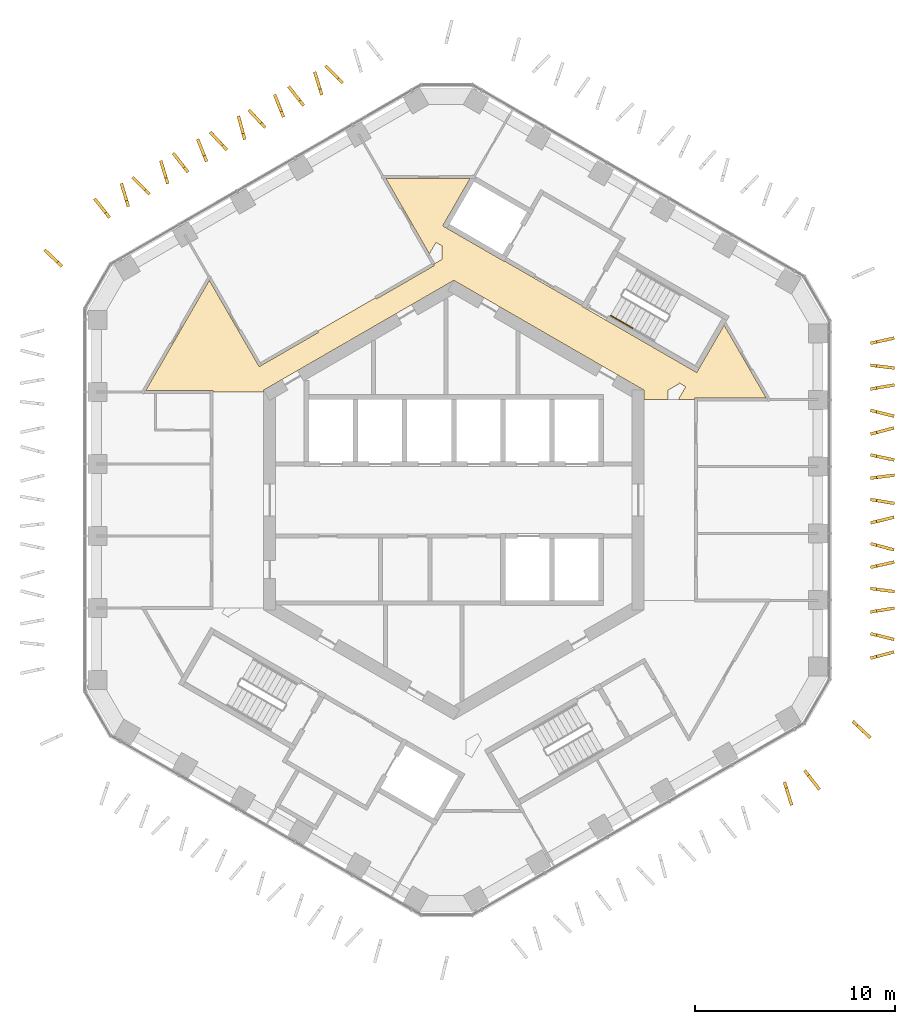
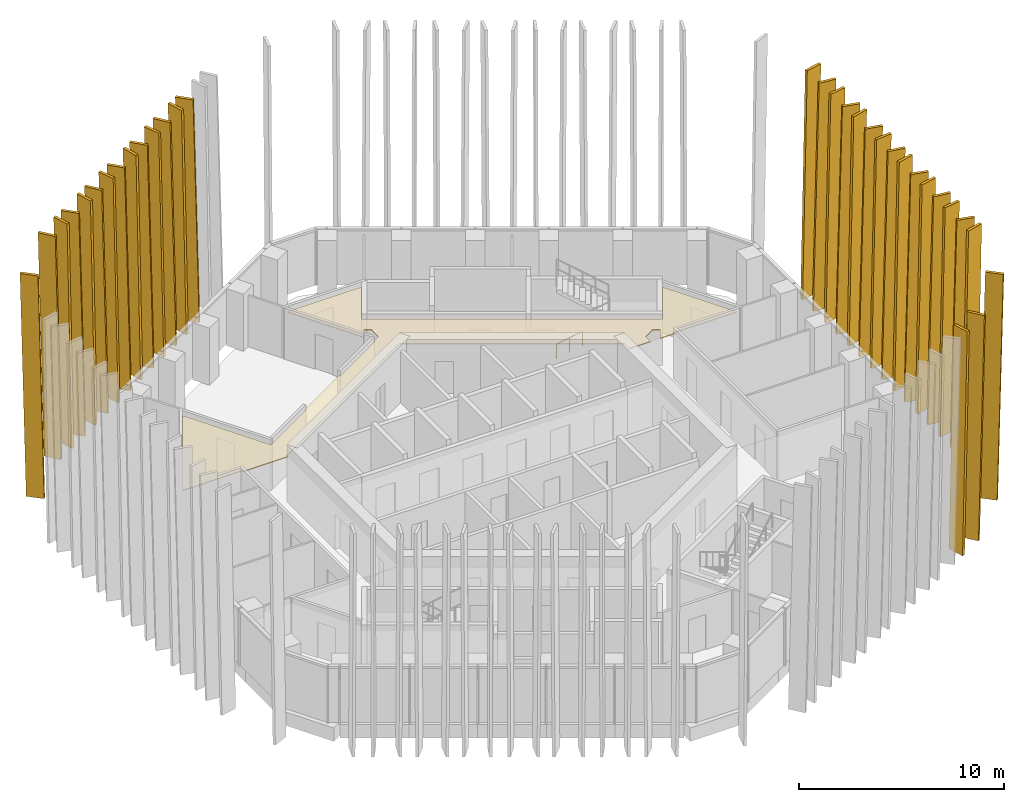
# One storey, part 20 of 21: 32 shading devices, 1 covering, 1 railing.
"""IFC4 building model written with IfcOpenShell, lengths in metres."""

from ifc_helpers import new_model, si_unit, direction, frame, origin, origin_2d, place, context, subcontext, project, spatial, polyline, circle, outline, extrude, material, layer, layer_set, type_object, element, save


model = new_model("IFC4")

# Units and contexts
model_context = context("Model", 3, precision=1e-05, world=origin(), true_north=direction((0.0, 1.0)))
body_context = subcontext(model_context, "Body", "Model", "MODEL_VIEW")
ifc_project = project(units=[si_unit("LENGTHUNIT", "METRE"), si_unit("AREAUNIT", "SQUARE_METRE"), si_unit("VOLUMEUNIT", "CUBIC_METRE"), si_unit("PLANEANGLEUNIT", "RADIAN"), si_unit("MASSUNIT", "GRAM", prefix="KILO")], contexts=[model_context])

# Site, building, storey
site_placement = place(None, origin())
site = spatial("IfcSite", under=ifc_project, at=site_placement, CompositionType="ELEMENT")
building_placement = place(site_placement, origin())
building = spatial("IfcBuilding", under=site, at=building_placement, Name="Ayvan Gate Tower", CompositionType="ELEMENT")
storey_placement = place(building_placement, frame((0.0, 0.0, 173.10009765625)))
storey = spatial("IfcBuildingStorey", under=building, at=storey_placement, Name="L46", CompositionType="ELEMENT", Elevation=173.10009765625)

# Shading devices
ifc_material_1 = material(Name="Bronze anodised aluminium", Category="aluminium")
ifc_layer_1 = layer(ifc_material_1, 0.14990234375)
ifc_layer_set_1 = layer_set([ifc_layer_1], Name="Bronze anodised aluminium")
shading_device_type = type_object("IfcShadingDeviceType", Name="Bronze fin 900 x 150", PredefinedType="USERDEFINED", material=ifc_layer_set_1)
shading_device_1_placement = place(storey_placement, frame((-5.4970703125, 20.8798828125, 0.0), z_axis=(0.707174588365, 0.707038958409, 0.000113414207), x_axis=(-0.707038962957, 0.707174592912, 1.0877e-08)))
element("IfcShadingDevice", 1, at=shading_device_1_placement, inside=storey, type_object=shading_device_type, Name="Bronze fin FG17.1.3", ObjectType="FIN", PredefinedType="USERDEFINED", context=body_context, shape_type="SweptSolid", body=[
    extrude(outline(polyline([(0.0, 0.0), (0.9001110205447482, 0.0), (1.2094702470155556, 13.199951243613675), (0.3095318434051229, 13.199951263192766), (0.0, 0.0)])), origin(), (0.0, 0.0, -1.0), 0.14990234375),
])
shading_device_2_placement = place(storey_placement, frame((-6.51953125, 20.24609375, 0.0), z_axis=(0.956042542036, 0.293227972178, 0.00011895649), x_axis=(-0.293227974252, 0.9560425488, -4.73e-09)))
element("IfcShadingDevice", 2, at=shading_device_2_placement, inside=storey, type_object=shading_device_type, Name="Bronze fin FG17.1.4", ObjectType="FIN", PredefinedType="USERDEFINED", context=body_context, shape_type="SweptSolid", body=[
    extrude(outline(polyline([(0.0, 0.0), (0.9001536681363617, 0.0), (1.209638873840267, 13.199951270990855), (0.3097186145292958, 13.199951262476), (0.0, 0.0)])), origin(), (0.0, 0.0, -1.0), 0.14990234375),
])
shading_device_3_placement = place(storey_placement, frame((-7.443115234375, 19.74169921875, 0.0), z_axis=(0.787676704671, 0.61608878812, 0.000118623006), x_axis=(-0.616088792454, 0.787676710213, -9.912e-09)))
element("IfcShadingDevice", 3, at=shading_device_3_placement, inside=storey, type_object=shading_device_type, Name="Bronze fin FG17.1.5", ObjectType="FIN", PredefinedType="USERDEFINED", context=body_context, shape_type="SweptSolid", body=[
    extrude(outline(polyline([(0.0, 0.0), (0.9000368198541718, 1.3552527156068805e-20), (1.20941082007584, 13.199951276733715), (0.3095663041059976, 13.199951258893263), (0.0, 0.0)])), origin(), (0.0, 0.0, -1.0), 0.14990234375),
])
shading_device_4_placement = place(storey_placement, frame((-8.431884765625, 19.146240234375, 0.0), z_axis=(0.929845278231, 0.367950735099, 0.000122844424), x_axis=(-0.367950737874, 0.929845285248, -1.5493e-08)))
element("IfcShadingDevice", 4, at=shading_device_4_placement, inside=storey, type_object=shading_device_type, Name="Bronze fin FG17.1.6", ObjectType="FIN", PredefinedType="USERDEFINED", context=body_context, shape_type="SweptSolid", body=[
    extrude(outline(polyline([(0.0, 0.0), (0.9000124117156664, 6.776263578034403e-21), (1.2094699109395768, 13.19995129021158), (0.30936766750079664, 13.199951262322907), (0.0, 0.0)])), origin(), (0.0, 0.0, -1.0), 0.14990234375),
])
shading_device_5_placement = place(storey_placement, frame((-9.35888671875, 18.646240234375, 0.0), z_axis=(0.729131035565, 0.684374108159, 0.000114267178), x_axis=(-0.684374112627, 0.729131040325, 0.0)))
element("IfcShadingDevice", 5, at=shading_device_5_placement, inside=storey, type_object=shading_device_type, Name="Bronze fin FG17.1.7", ObjectType="FIN", PredefinedType="USERDEFINED", context=body_context, shape_type="SweptSolid", body=[
    extrude(outline(polyline([(0.0, 0.0), (0.9000439752325704, -1.3552527156068805e-20), (1.2095104750641414, 13.199951258050804), (0.30946649983157115, 13.199951258050804), (0.0, 0.0)])), origin(), (0.0, 0.0, -1.0), 0.14990234375),
])
shading_device_6_placement = place(storey_placement, frame((-10.3681640625, 18.022705078125, 0.0), z_axis=(0.965937149046, 0.258776759391, 0.00011354488), x_axis=(-0.258776761059, 0.965937155273, 0.0)))
element("IfcShadingDevice", 6, at=shading_device_6_placement, inside=storey, type_object=shading_device_type, Name="Bronze fin FG17.1.8", ObjectType="FIN", PredefinedType="USERDEFINED", context=body_context, shape_type="SweptSolid", body=[
    extrude(outline(polyline([(0.0, 0.0), (0.9000427831971298, 6.776263578034403e-21), (1.2095575730144879, 13.199951256964788), (0.30951478981735786, 13.199951256964788), (0.0, 0.0)])), origin(), (0.0, 0.0, -1.0), 0.14990234375),
])
shading_device_7_placement = place(storey_placement, frame((-11.281005859375, 17.53662109375, 0.0), z_axis=(0.729266401401, 0.684229860243, 0.000118904888), x_axis=(-0.68422986508, 0.729266406557, 0.0)))
element("IfcShadingDevice", 7, at=shading_device_7_placement, inside=storey, type_object=shading_device_type, Name="Bronze fin FG17.1.9", ObjectType="FIN", PredefinedType="USERDEFINED", context=body_context, shape_type="SweptSolid", body=[
    extrude(outline(polyline([(0.0, 0.0), (0.8998769093156884, -6.776263578034403e-21), (1.2093431047215066, 13.199951265187917), (0.3094661954058183, 13.199951265187917), (0.0, 0.0)])), origin(), (0.0, 0.0, -1.0), 0.14990234375),
])
shading_device_8_placement = place(storey_placement, frame((-12.27587890625, 16.9267578125, 0.0), z_axis=(0.929845278987, 0.367950735398, 0.000116038966), x_axis=(-0.367950737874, 0.929845285248, -1.4634e-08)))
element("IfcShadingDevice", 8, at=shading_device_8_placement, inside=storey, type_object=shading_device_type, Name="Bronze fin FG17.1.10", ObjectType="FIN", PredefinedType="USERDEFINED", context=body_context, shape_type="SweptSolid", body=[
    extrude(outline(polyline([(0.0, 0.0), (0.9000124117156665, 0.0), (1.2096969352779419, 13.199951278447184), (0.3095946918391616, 13.199951252103515), (0.0, 0.0)])), origin(), (0.0, 0.0, -1.0), 0.14990234375),
])
shading_device_9_placement = place(storey_placement, frame((-13.208984375, 16.41259765625, 0.0), z_axis=(0.787596557022, 0.616191245714, 0.000109874865), x_axis=(-0.616191249434, 0.787596561776, 0.0)))
element("IfcShadingDevice", 9, at=shading_device_9_placement, inside=storey, type_object=shading_device_type, Name="Bronze fin FG17.1.11", ObjectType="FIN", PredefinedType="USERDEFINED", context=body_context, shape_type="SweptSolid", body=[
    extrude(outline(polyline([(0.0, 0.0), (0.9001872397731432, 0.0), (1.209753865999213, 13.199951251553113), (0.30956662622606973, 13.199951251553113), (0.0, 0.0)])), origin(), (0.0, 0.0, -1.0), 0.14990234375),
])
shading_device_10_placement = place(storey_placement, frame((-14.20751953125, 15.8076171875, 0.0), z_axis=(0.9560308779, 0.293265998584, 0.000120735635), x_axis=(-0.293266000721, 0.956030884868, 0.0)))
element("IfcShadingDevice", 10, at=shading_device_10_placement, inside=storey, type_object=shading_device_type, Name="Bronze fin FG17.1.12", ObjectType="FIN", PredefinedType="USERDEFINED", context=body_context, shape_type="SweptSolid", body=[
    extrude(outline(polyline([(0.0, 0.0), (0.8999202600228349, 6.776263578034403e-21), (1.2094055918008084, 13.199951268083462), (0.3094853317779735, 13.199951268083462), (0.0, 0.0)])), origin(), (0.0, 0.0, -1.0), 0.14990234375),
])
shading_device_11_placement = place(storey_placement, frame((-15.138916015625, 15.313232421875, 0.0), z_axis=(0.707242405859, 0.706971119934, 0.000122203353), x_axis=(-0.706971125213, 0.70724241114, 0.0)))
element("IfcShadingDevice", 11, at=shading_device_11_placement, inside=storey, type_object=shading_device_type, Name="Bronze fin FG17.1.13", ObjectType="FIN", PredefinedType="USERDEFINED", context=body_context, shape_type="SweptSolid", body=[
    extrude(outline(polyline([(0.0, 0.0), (0.8999384077507213, 6.776263578034403e-21), (1.209469954272635, 13.199951270436788), (0.30953154652191367, 13.199951270436788), (0.0, 0.0)])), origin(), (0.0, 0.0, -1.0), 0.14990234375),
])
shading_device_12_placement = place(storey_placement, frame((-16.177734375, 14.669677734375, 0.0), z_axis=(0.957527132135, 0.288343156221, 0.000124441671), x_axis=(-0.288343158453, 0.957527139549, 0.0)))
element("IfcShadingDevice", 12, at=shading_device_12_placement, inside=storey, type_object=shading_device_type, Name="Bronze fin FG17.1.14", ObjectType="FIN", PredefinedType="USERDEFINED", context=body_context, shape_type="SweptSolid", body=[
    extrude(outline(polyline([(0.0, 0.0), (0.9000438427842659, 6.776263578034403e-21), (1.2095620429986695, 13.199951274080439), (0.30951820021440357, 13.199951274080439), (0.0, 0.0)])), origin(), (0.0, 0.0, -1.0), 0.14990234375),
])
shading_device_13_placement = place(storey_placement, frame((-17.132080078125, 14.148193359375, 0.0), z_axis=(0.78455980458, 0.620053142012, 0.000118818656), x_axis=(-0.620053146388, 0.784559810119, -9.991e-09)))
element("IfcShadingDevice", 13, at=shading_device_13_placement, inside=storey, type_object=shading_device_type, Name="Bronze fin FG17.1.15", ObjectType="FIN", PredefinedType="USERDEFINED", context=body_context, shape_type="SweptSolid", body=[
    extrude(outline(polyline([(0.0, 0.0), (0.9001887263959805, 0.0), (1.2095577963791595, 13.199951277136783), (0.3095606129055714, 13.19995125915191), (0.0, 0.0)])), origin(), (0.0, 0.0, -1.0), 0.14990234375),
])
shading_device_14_placement = place(storey_placement, frame((-19.512939453125, 11.718994140625, 0.0), z_axis=(0.690088545544, 0.723724936915, 0.000122458133), x_axis=(-0.723724942342, 0.690088550718, 0.0)))
element("IfcShadingDevice", 14, at=shading_device_14_placement, inside=storey, type_object=shading_device_type, Name="Bronze fin FG17.2.16", ObjectType="FIN", PredefinedType="USERDEFINED", context=body_context, shape_type="SweptSolid", body=[
    extrude(outline(polyline([(0.0, 0.0), (0.9000203660144157, 6.776263578034403e-21), (1.209505579872809, 13.1999512708482), (0.30948521385839334, 13.1999512708482), (0.0, 0.0)])), origin(), (0.0, 0.0, -1.0), 0.14990234375),
])
shading_device_15_placement = place(storey_placement, frame((16.439697265625, -14.107666015625, 0.0), z_axis=(-0.955373410081, -0.295400807376, 0.000101548863), x_axis=(0.295400808899, -0.955373415007, 0.0)))
element("IfcShadingDevice", 15, at=shading_device_15_placement, inside=storey, type_object=shading_device_type, Name="Bronze fin FG17.7.62", ObjectType="FIN", PredefinedType="USERDEFINED", context=body_context, shape_type="SweptSolid", body=[
    extrude(outline(polyline([(0.0, 0.0), (0.9000284786486996, 0.0), (1.2096608369348048, 13.479980538253937), (0.30963235828610525, 13.479980538253937), (0.0, 0.0)])), origin(), (0.0, 0.0, -1.0), 0.14990234375),
])
shading_device_16_placement = place(storey_placement, frame((17.457763671875, -13.5478515625, 0.0), z_axis=(-0.791225338785, -0.611524691906, 0.00012022693), x_axis=(0.611524696327, -0.791225344502, 1.29e-08)))
element("IfcShadingDevice", 16, at=shading_device_16_placement, inside=storey, type_object=shading_device_type, Name="Bronze fin FG17.7.63", ObjectType="FIN", PredefinedType="USERDEFINED", context=body_context, shape_type="SweptSolid", body=[
    extrude(outline(polyline([(0.0, 0.0), (0.9001446582347323, -1.3552527156068805e-20), (1.2095743688229745, 13.479980550569422), (0.3095790086098064, 13.479980573791762), (0.0, 0.0)])), origin(), (0.0, 0.0, -1.0), 0.14990234375),
])
shading_device_17_placement = place(storey_placement, frame((19.868896484375, -11.10302734375, 0.0), z_axis=(-0.686049791674, -0.727554583341, 0.000107715299), x_axis=(0.727554587562, -0.686049795654, 0.0)))
element("IfcShadingDevice", 17, at=shading_device_17_placement, inside=storey, type_object=shading_device_type, Name="Bronze fin FG17.8.64", ObjectType="FIN", PredefinedType="USERDEFINED", context=body_context, shape_type="SweptSolid", body=[
    extrude(outline(polyline([(0.0, 0.0), (0.8999807951785506, 6.776263578034403e-21), (1.2093432515563576, 13.479980546951314), (0.309362456377807, 13.479980546951314), (0.0, 0.0)])), origin(), (0.0, 0.0, -1.0), 0.14990234375),
])
shading_device_18_placement = place(storey_placement, frame((20.830810546875, -7.9716796875, 0.0), z_axis=(0.257569786093, -0.966259692536, 0.000108956598), x_axis=(0.966259698272, 0.25756978762, -1.428e-08)))
element("IfcShadingDevice", 18, at=shading_device_18_placement, inside=storey, type_object=shading_device_type, Name="Bronze fin FG17.9.65", ObjectType="FIN", PredefinedType="USERDEFINED", context=body_context, shape_type="SweptSolid", body=[
    extrude(outline(polyline([(0.0, 0.0), (0.8999635677972456, -3.3881317890172014e-21), (1.209649071092917, 13.479980566038028), (0.30962262004674074, 13.479980540333914), (0.0, 0.0)])), origin(), (0.0, 0.0, -1.0), 0.14990234375),
])
shading_device_19_placement = place(storey_placement, frame((20.79296875, -6.7490234375, 0.0), z_axis=(-0.236915593727, -0.971530230943, 0.000108691166), x_axis=(0.971530236681, -0.236915595127, -1.432e-08)))
element("IfcShadingDevice", 19, at=shading_device_19_placement, inside=storey, type_object=shading_device_type, Name="Bronze fin FG17.9.66", ObjectType="FIN", PredefinedType="USERDEFINED", context=body_context, shape_type="SweptSolid", body=[
    extrude(outline(polyline([(0.0, 0.0), (0.9001673676593435, -3.3881317890172014e-21), (1.2096276157406287, 13.479980565696335), (0.3095180888027519, 13.479980539916706), (0.0, 0.0)])), origin(), (0.0, 0.0, -1.0), 0.14990234375),
])
shading_device_20_placement = place(storey_placement, frame((20.8203125, -5.665283203125, 0.0), z_axis=(0.158699344914, -0.987326950111, 0.000107276195), x_axis=(0.987326955792, 0.158699345828, 2.31e-09)))
element("IfcShadingDevice", 20, at=shading_device_20_placement, inside=storey, type_object=shading_device_type, Name="Bronze fin FG17.9.67", ObjectType="FIN", PredefinedType="USERDEFINED", context=body_context, shape_type="SweptSolid", body=[
    extrude(outline(polyline([(0.0, 0.0), (0.8998344505461328, -1.6940658945086007e-21), (1.2094040095796845, 13.479980543521869), (0.3093285124134853, 13.479980547678837), (0.0, 0.0)])), origin(), (0.0, 0.0, -1.0), 0.14990234375),
])
shading_device_21_placement = place(storey_placement, frame((20.798095703125, -4.4931640625, 0.0), z_axis=(-0.128608384316, -0.991695452901, 0.000110355369), x_axis=(0.99169545894, -0.128608385099, 0.0)))
element("IfcShadingDevice", 21, at=shading_device_21_placement, inside=storey, type_object=shading_device_type, Name="Bronze fin FG17.9.68", ObjectType="FIN", PredefinedType="USERDEFINED", context=body_context, shape_type="SweptSolid", body=[
    extrude(outline(polyline([(0.0, 0.0), (0.8998064641022082, -1.6940658945086007e-21), (1.2093143751879183, 13.479980550831677), (0.30950791108571, 13.479980550831677), (0.0, 0.0)])), origin(), (0.0, 0.0, -1.0), 0.14990234375),
])
shading_device_22_placement = place(storey_placement, frame((20.826171875, -3.435791015625, 0.0), z_axis=(0.216729407111, -0.97623170988, 0.000112776359), x_axis=(0.976231716088, 0.21672940849, 0.0)))
element("IfcShadingDevice", 22, at=shading_device_22_placement, inside=storey, type_object=shading_device_type, Name="Bronze fin FG17.9.69", ObjectType="FIN", PredefinedType="USERDEFINED", context=body_context, shape_type="SweptSolid", body=[
    extrude(outline(polyline([(0.0, 0.0), (0.9000548690388707, 0.0), (1.2097471533616728, 13.479980554472617), (0.30969228432280205, 13.479980554472617), (0.0, 0.0)])), origin(), (0.0, 0.0, -1.0), 0.14990234375),
])
shading_device_23_placement = place(storey_placement, frame((20.792236328125, -2.251708984375, 0.0), z_axis=(-0.257983438212, -0.966149332485, 0.000113789098), x_axis=(0.966149338739, -0.257983439882, 3.981e-09)))
element("IfcShadingDevice", 23, at=shading_device_23_placement, inside=storey, type_object=shading_device_type, Name="Bronze fin FG17.9.70", ObjectType="FIN", PredefinedType="USERDEFINED", context=body_context, shape_type="SweptSolid", body=[
    extrude(outline(polyline([(0.0, 0.0), (0.9000894033002088, 3.3881317890172014e-21), (1.2094917454184004, 13.479980551203855), (0.30963821842159467, 13.479980558369835), (0.0, 0.0)])), origin(), (0.0, 0.0, -1.0), 0.14990234375),
])
shading_device_24_placement = place(storey_placement, frame((20.82861328125, -1.219482421875, 0.0), z_axis=(0.237745999707, -0.971327353052, 0.000113297016), x_axis=(0.971327359286, 0.237746001234, 1.4925e-08)))
element("IfcShadingDevice", 24, at=shading_device_24_placement, inside=storey, type_object=shading_device_type, Name="Bronze fin FG17.9.71", ObjectType="FIN", PredefinedType="USERDEFINED", context=body_context, shape_type="SweptSolid", body=[
    extrude(outline(polyline([(0.0, 0.0), (0.9001041300500204, 0.0), (1.2096064489818634, 13.479980537213121), (0.30956036238917556, 13.479980564079563), (0.0, 0.0)])), origin(), (0.0, 0.0, -1.0), 0.14990234375),
])
shading_device_25_placement = place(storey_placement, frame((20.796142578125, -0.048583984375, 0.0), z_axis=(-0.163299176989, -0.986576589218, 0.000111360799), x_axis=(0.986576595336, -0.163299178002, 0.0)))
element("IfcShadingDevice", 25, at=shading_device_25_placement, inside=storey, type_object=shading_device_type, Name="Bronze fin FG17.9.72", ObjectType="FIN", PredefinedType="USERDEFINED", context=body_context, shape_type="SweptSolid", body=[
    extrude(outline(polyline([(0.0, 0.0), (0.9000207964825616, 0.0), (1.2095952672195012, 13.479980552334155), (0.30957447073693933, 13.479980552334155), (0.0, 0.0)])), origin(), (0.0, 0.0, -1.0), 0.14990234375),
])
shading_device_26_placement = place(storey_placement, frame((20.816650390625, 1.016357421875, 0.0), z_axis=(0.12194756699, -0.992536538008, 0.000107817743), x_axis=(0.992536543777, 0.121947567697, -1.6298e-08)))
element("IfcShadingDevice", 26, at=shading_device_26_placement, inside=storey, type_object=shading_device_type, Name="Bronze fin FG17.9.73", ObjectType="FIN", PredefinedType="USERDEFINED", context=body_context, shape_type="SweptSolid", body=[
    extrude(outline(polyline([(0.0, 0.0), (0.900011150287105, -3.3881317890172014e-21), (1.2093986244242572, 13.47998056681055), (0.3096000202738903, 13.479980537477793), (0.0, 0.0)])), origin(), (0.0, 0.0, -1.0), 0.14990234375),
])
shading_device_27_placement = place(storey_placement, frame((20.7939453125, 2.178955078125, 0.0), z_axis=(-0.212103076259, -0.977247293813, 0.000108519149), x_axis=(0.977247299567, -0.212103077508, 0.0)))
element("IfcShadingDevice", 27, at=shading_device_27_placement, inside=storey, type_object=shading_device_type, Name="Bronze fin FG17.9.74", ObjectType="FIN", PredefinedType="USERDEFINED", context=body_context, shape_type="SweptSolid", body=[
    extrude(outline(polyline([(0.0, 0.0), (0.9001188054082861, 0.0), (1.2095840790528394, 13.479980548122862), (0.3094652736445534, 13.479980548122862), (0.0, 0.0)])), origin(), (0.0, 0.0, -1.0), 0.14990234375),
])
shading_device_28_placement = place(storey_placement, frame((20.830810546875, 3.216552734375, 0.0), z_axis=(0.257029440096, -0.966403567644, 0.000106626267), x_axis=(0.966403573137, 0.257029441558, 1.0257e-08)))
element("IfcShadingDevice", 28, at=shading_device_28_placement, inside=storey, type_object=shading_device_type, Name="Bronze fin FG17.9.75", ObjectType="FIN", PredefinedType="USERDEFINED", context=body_context, shape_type="SweptSolid", body=[
    extrude(outline(polyline([(0.0, 0.0), (0.9001366800988507, 0.0), (1.2094601374864555, 13.47998053297201), (0.3096221470884582, 13.479980551435235), (0.0, 0.0)])), origin(), (0.0, 0.0, -1.0), 0.14990234375),
])
shading_device_29_placement = place(storey_placement, frame((20.792724609375, 4.4033203125, 0.0), z_axis=(-0.240875817135, -0.970555938862, 0.000101282737), x_axis=(0.970555943841, -0.240875818371, 0.0)))
element("IfcShadingDevice", 29, at=shading_device_29_placement, inside=storey, type_object=shading_device_type, Name="Bronze fin FG17.9.76", ObjectType="FIN", PredefinedType="USERDEFINED", context=body_context, shape_type="SweptSolid", body=[
    extrude(outline(polyline([(0.0, 0.0), (0.9000358627379677, 3.3881317890172014e-21), (1.2096031645745846, 13.479980537890121), (0.30956730183661707, 13.479980537890121), (0.0, 0.0)])), origin(), (0.0, 0.0, -1.0), 0.14990234375),
])
shading_device_30_placement = place(storey_placement, frame((20.821044921875, 5.466796875, 0.0), z_axis=(0.167917139514, -0.985801106615, 0.000111600954), x_axis=(0.985801112754, 0.16791714056, 0.0)))
element("IfcShadingDevice", 30, at=shading_device_30_placement, inside=storey, type_object=shading_device_type, Name="Bronze fin FG17.9.77", ObjectType="FIN", PredefinedType="USERDEFINED", context=body_context, shape_type="SweptSolid", body=[
    extrude(outline(polyline([(0.0, 0.0), (0.8999858285529956, 3.3881317890172014e-21), (1.2095657708410408, 13.47998055269505), (0.3095799422880452, 13.47998055269505), (0.0, 0.0)])), origin(), (0.0, 0.0, -1.0), 0.14990234375),
])
shading_device_31_placement = place(storey_placement, frame((20.79833984375, 6.6572265625, 0.0), z_axis=(-0.120177434835, -0.992752421619, 0.0001163043), x_axis=(0.992752428333, -0.120177435647, 1.896e-09)))
element("IfcShadingDevice", 31, at=shading_device_31_placement, inside=storey, type_object=shading_device_type, Name="Bronze fin FG17.9.78", ObjectType="FIN", PredefinedType="USERDEFINED", context=body_context, shape_type="SweptSolid", body=[
    extrude(outline(polyline([(0.0, 0.0), (0.9000762919167111, -1.6940658945086007e-21), (1.209505324519294, 13.479980557627009), (0.30967140380090646, 13.47998056103894), (0.0, 0.0)])), origin(), (0.0, 0.0, -1.0), 0.14990234375),
])
shading_device_32_placement = place(storey_placement, frame((20.825927734375, 7.7529296875, 0.0), z_axis=(0.213353037806, -0.976975162947, 0.000110646725), x_axis=(0.976975168928, 0.213353039111, -1.1462e-08)))
element("IfcShadingDevice", 32, at=shading_device_32_placement, inside=storey, type_object=shading_device_type, Name="Bronze fin FG17.9.79", ObjectType="FIN", PredefinedType="USERDEFINED", context=body_context, shape_type="SweptSolid", body=[
    extrude(outline(polyline([(0.0, 0.0), (0.8998493828250376, 3.3881317890172014e-21), (1.2095645727929074, 13.479980565129594), (0.3094245824952042, 13.479980544498263), (0.0, 0.0)])), origin(), (0.0, 0.0, -1.0), 0.14990234375),
])

# Covering
ifc_material_2 = material(Name="Plasterboard suspended ceiling")
ifc_layer_2 = layer(ifc_material_2, 0.050048828125)
ifc_layer_set_2 = layer_set([ifc_layer_2], Name="Plasterboard suspended ceiling")
covering_type = type_object("IfcCoveringType", Name="CT-SUSP-50", PredefinedType="CEILING", material=ifc_layer_set_2)
covering_placement = place(storey_placement, frame((0.0, 0.0, 2.699951171875)))
element("IfcCovering", 33, at=covering_placement, inside=storey, type_object=covering_type, Name="Ceiling Gallery L46", PredefinedType="CEILING", context=body_context, shape_type="SweptSolid", body=[
    extrude(outline(polyline([(-9.58984375, 6.73193359375), (-9.58984375, 6.73193359375), (-6.760009765625, 8.36572265625), (-6.79736328125, 8.430908203125), (-3.902587890625, 10.10205078125), (-3.864990234375, 10.037109375), (-0.97021484375, 11.70849609375), (-1.007568359375, 11.773681640625), (-0.60009765625, 12.0087890625), (-0.60009765625, 12.6552734375), (-0.53955078125, 12.6552734375), (-0.890380859375, 12.85791015625), (-1.21875, 12.2890625), (-3.393310546875, 16.055419921875), (0.811279296875, 16.055419921875), (-0.55615234375, 13.686767578125), (-0.339599609375, 13.561767578125), (2.518310546875, 11.91162109375), (2.53076171875, 11.933349609375), (6.384521484375, 9.70849609375), (6.3720703125, 9.686767578125), (6.588623046875, 9.561767578125), (12.131103515625, 6.36181640625), (12.24609375, 6.56103515625), (13.498779296875, 8.730224609375), (15.600830078125, 5.089111328125), (12.02490234375, 5.089111328125), (12.02490234375, 5.01416015625), (11.208740234375, 5.01416015625), (11.580322265625, 5.65771484375), (11.2294921875, 5.8603515625), (11.259765625, 5.80810546875), (10.699951171875, 5.48486328125), (10.699951171875, 5.01416015625), (9.5, 5.01416015625), (9.5, 5.48486328125), (0.0, 10.9697265625), (-9.09228515625, 5.72021484375), (-9.5, 5.48486328125), (-9.5, 5.384033203125), (-12.02490234375, 5.384033203125), (-12.02490234375, 5.458984375), (-15.38720703125, 5.458984375), (-12.207763671875, 10.96630859375), (-9.7197265625, 6.656982421875), (-9.58984375, 6.73193359375)])), origin(), (0.0, 0.0, 1.0), 0.050048828125),
])

# Railing
ifc_material_3 = material(Name="Stainless steel balustrade", Category="steel")
railing_type = type_object("IfcRailingType", Name="RL-HANDRAIL-900", PredefinedType="HANDRAIL", material=ifc_material_3)
railing_placement = place(storey_placement, frame((7.8310546875, 9.2138671875, 0.169921875)))
element("IfcRailing", 34, at=railing_placement, inside=storey, type_object=railing_type, Name="L46 STS1 stair handrail 1", PredefinedType="HANDRAIL", context=body_context, shape_type="SweptSolid", body=[
    extrude(circle(Radius=0.02392578125, at=origin_2d()), frame((0.0, 0.0, 0.8759765625), z_axis=(0.740356597536, -0.427319915356, 0.518912129772), x_axis=(0.499890179513, 0.866088799389, 0.0)), (0.0, 0.0, 1.0), 1.47412109375),
    extrude(circle(Radius=0.02099609375, at=origin_2d()), origin(), (0.0, 0.0, 1.0), 0.851806640625),
    extrude(circle(Radius=0.02099609375, at=origin_2d()), frame((0.545654296875, -0.31494140625, 0.38232421875)), (0.0, 0.0, 1.0), 0.851806640625),
    extrude(circle(Radius=0.02099609375, at=origin_2d()), frame((1.09130859375, -0.6298828125, 0.764892578125)), (0.0, 0.0, 1.0), 0.851806640625),
])

save(model, "model.ifc")
